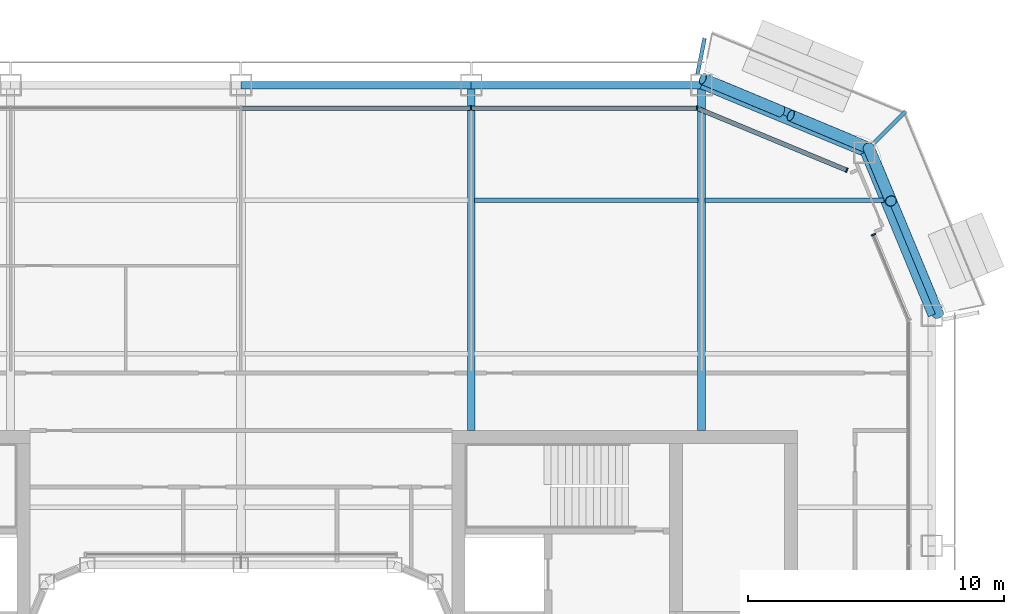
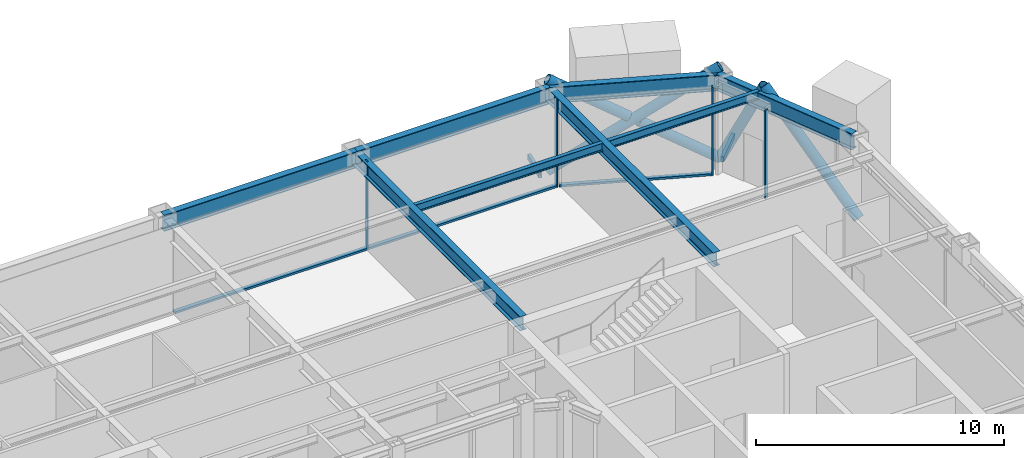
# One storey, part 10 of 23: 12 members, 10 beams, 3 elements without a shape of their own.
"""IFC4 building model written with IfcOpenShell, lengths in metres."""

from ifc_helpers import new_model, si_unit, direction, frame, origin, origin_2d, place, context, subcontext, project, spatial, rectangle, hollow_rectangle, hollow_circle, i_section, extrude, material, layer, layer_set, material_profile, profile_set, type_object, element, aggregate, save


model = new_model("IFC4")

# Units and contexts
model_context = context("Model", 3, precision=1e-05, world=origin(), true_north=direction((0.0, 1.0)))
body_context = subcontext(model_context, "Body", "Model", "MODEL_VIEW")
ifc_project = project(units=[si_unit("LENGTHUNIT", "METRE"), si_unit("AREAUNIT", "SQUARE_METRE"), si_unit("VOLUMEUNIT", "CUBIC_METRE"), si_unit("PLANEANGLEUNIT", "RADIAN"), si_unit("MASSUNIT", "GRAM", prefix="KILO")], contexts=[model_context])

# Site, building, storey
site_placement = place(None, origin())
site = spatial("IfcSite", under=ifc_project, at=site_placement, CompositionType="ELEMENT")
building_placement = place(site_placement, origin())
building = spatial("IfcBuilding", under=site, at=building_placement, Name="Siwar Civic Tower", CompositionType="ELEMENT")
storey_placement = place(building_placement, frame((0.0, 0.0, 224.199951171875)))
storey = spatial("IfcBuildingStorey", under=building, at=storey_placement, Name="L48", CompositionType="ELEMENT", Elevation=224.199951171875)

# Beams
ifc_material_1 = material(Name="Steel S355", Category="steel")
ifc_material_profile_1 = material_profile(ifc_material_1, hollow_rectangle(XDim=0.14990234375, YDim=0.25, WallThickness=0.010009765625, at=origin_2d()), Name="RHS250x150x10")
ifc_profile_set_1 = profile_set([ifc_material_profile_1], Name="Steel S355")
beam_type_1 = type_object("IfcBeamType", Name="ENV-BALCONY ARM", PredefinedType="BEAM", material=ifc_profile_set_1)
beam_1_placement = place(storey_placement, frame((24.753662109375, 24.753662109375, -0.27490234375), z_axis=(0.707106781187, 0.707106781187, 0.0), x_axis=(-0.707106781187, 0.707106781187, 0.0)))
element("IfcBeam", 1, at=beam_1_placement, inside=storey, type_object=beam_type_1, Name="Balcony cantilever beam NE 2", PredefinedType="BEAM", context=body_context, shape_type="SweptSolid", body=[
    extrude(hollow_rectangle(XDim=0.14990234375, YDim=0.25, WallThickness=0.010009765625, at=origin_2d()), origin(), (0.0, 0.0, 1.0), 1.721923828125),
])
beam_2_placement = place(storey_placement, frame((17.83984375, 27.425048828125, -0.27490234375), z_axis=(0.195122471741, 0.980778884878, 0.0), x_axis=(-0.980778884878, 0.195122471741, 0.0)))
element("IfcBeam", 2, at=beam_2_placement, inside=storey, type_object=beam_type_1, Name="Balcony cantilever beam NE 3", PredefinedType="BEAM", context=body_context, shape_type="SweptSolid", body=[
    extrude(hollow_rectangle(XDim=0.14990234375, YDim=0.25, WallThickness=0.010009765625, at=origin_2d()), origin(), (0.0, 0.0, 1.0), 1.417724609375),
])

# Curtain wall, member
ifc_material_2 = material(Name="Aluminium clad insulated panel", Category="aluminium")
ifc_layer_1 = layer(ifc_material_2, 0.179931640625)
ifc_layer_set_1 = layer_set([ifc_layer_1], Name="Aluminium clad insulated panel")
curtain_wall_type_1 = type_object("IfcCurtainWallType", Name="ENV-CW-CX", PredefinedType="NOTDEFINED", material=ifc_layer_set_1)
curtain_wall_1_placement = place(storey_placement, origin())
curtain_wall_1 = element("IfcCurtainWall", 3, at=curtain_wall_1_placement, inside=storey, type_object=curtain_wall_type_1, Name="Curtain wall C NE1", PredefinedType="NOTDEFINED")
ifc_material_3 = material(Name="Aluminium 6063-T6", Category="aluminium")
ifc_material_profile_2 = material_profile(ifc_material_3, rectangle(XDim=0.179931640625, YDim=0.06005859375, at=origin_2d()), Name="AL 180x60")
ifc_profile_set_2 = profile_set([ifc_material_profile_2], Name="Aluminium 6063-T6")
member_type_1 = type_object("IfcMemberType", Name="ENV-MULLION-C", PredefinedType="MULLION", material=ifc_profile_set_2)
member_1_placement = place(storey_placement, frame((24.719482421875, 21.153564453125, 0.0), z_axis=(0.0, 0.0, 1.0), x_axis=(-0.923879532511, -0.382683432365, 0.0)))
member_1 = element("IfcMember", 4, at=member_1_placement, type_object=member_type_1, Name="Mullion C NE1 2", PredefinedType="MULLION", context=body_context, shape_type="SweptSolid", body=[
    extrude(rectangle(XDim=0.179931640625, YDim=0.06005859375, at=origin_2d()), origin(), (0.0, 0.0, 1.0), 4.35009765625),
])
aggregate(curtain_wall_1, [member_1])

curtain_wall_2_placement = place(storey_placement, origin())
curtain_wall_2 = element("IfcCurtainWall", 5, at=curtain_wall_2_placement, inside=storey, type_object=curtain_wall_type_1, Name="Curtain wall C NE2", PredefinedType="NOTDEFINED")
member_2_placement = place(storey_placement, frame((23.675048828125, 23.675048828125, 0.0), z_axis=(0.0, 0.0, 1.0), x_axis=(-0.382683432365, -0.923879532511, 0.0)))
member_2 = element("IfcMember", 6, at=member_2_placement, type_object=member_type_1, Name="Mullion C NE2 1", PredefinedType="MULLION", context=body_context, shape_type="SweptSolid", body=[
    extrude(rectangle(XDim=0.179931640625, YDim=0.06005859375, at=origin_2d()), origin(), (0.0, 0.0, 1.0), 4.35009765625),
])

# Curtain wall, members
ifc_material_4 = material(Name="Aluminium and glass", Category="aluminium")
ifc_layer_2 = layer(ifc_material_4, 0.179931640625)
ifc_layer_set_2 = layer_set([ifc_layer_2], Name="Aluminium and glass")
curtain_wall_type_2 = type_object("IfcCurtainWallType", Name="ENV-CW-C", PredefinedType="NOTDEFINED", material=ifc_layer_set_2)
curtain_wall_3_placement = place(storey_placement, origin())
curtain_wall_3 = element("IfcCurtainWall", 7, at=curtain_wall_3_placement, inside=storey, type_object=curtain_wall_type_2, Name="Curtain wall C N", PredefinedType="NOTDEFINED")
member_3_placement = place(storey_placement, frame((17.821044921875, 26.10009765625, 0.0), z_axis=(0.0, 0.0, 1.0), x_axis=(0.0, -1.0, 0.0)))
member_3 = element("IfcMember", 8, at=member_3_placement, type_object=member_type_1, Name="Mullion C N 1", PredefinedType="MULLION", context=body_context, shape_type="SweptSolid", body=[
    extrude(rectangle(XDim=0.179931640625, YDim=0.06005859375, at=origin_2d()), origin(), (0.0, 0.0, 1.0), 4.35009765625),
])
member_4_placement = place(storey_placement, frame((9.0, 26.10009765625, 0.0), z_axis=(0.0, 0.0, 1.0), x_axis=(0.0, -1.0, 0.0)))
member_4 = element("IfcMember", 9, at=member_4_placement, type_object=member_type_1, Name="Mullion C N 2", PredefinedType="MULLION", context=body_context, shape_type="SweptSolid", body=[
    extrude(rectangle(XDim=0.179931640625, YDim=0.06005859375, at=origin_2d()), origin(), (0.0, 0.0, 1.0), 4.35009765625),
])

# Member
ifc_material_5 = material(Name="Aluminium 6063-T6", Category="aluminium")
ifc_material_profile_3 = material_profile(ifc_material_5, rectangle(XDim=0.179931640625, YDim=0.10009765625, at=origin_2d()), Name="AL 180x100")
ifc_profile_set_3 = profile_set([ifc_material_profile_3], Name="Aluminium 6063-T6")
member_type_2 = type_object("IfcMemberType", Name="ENV-TRANSOM-C", PredefinedType="USERDEFINED", material=ifc_profile_set_3)
member_5_placement = place(storey_placement, frame((23.6474609375, 23.6865234375, 0.050048828125), z_axis=(-0.923876246063, 0.382691366456, 0.0), x_axis=(-0.382691366456, -0.923876246063, 0.0)))
member_5 = element("IfcMember", 10, at=member_5_placement, type_object=member_type_2, Name="Transom C NE2 1", ObjectType="TRANSOM", PredefinedType="USERDEFINED", context=body_context, shape_type="SweptSolid", body=[
    extrude(rectangle(XDim=0.179931640625, YDim=0.10009765625, at=origin_2d()), origin(), (0.0, 0.0, 1.0), 6.20166015625),
])

aggregate(curtain_wall_2, [member_2, member_5])

member_6_placement = place(storey_placement, frame((17.791015625, 26.10009765625, 0.050048828125), z_axis=(-1.0, 0.0, 0.0), x_axis=(0.0, -1.0, 0.0)))
member_6 = element("IfcMember", 11, at=member_6_placement, type_object=member_type_2, Name="Transom C N 1", ObjectType="TRANSOM", PredefinedType="USERDEFINED", context=body_context, shape_type="SweptSolid", body=[
    extrude(rectangle(XDim=0.179931640625, YDim=0.10009765625, at=origin_2d()), origin(), (0.0, 0.0, 1.0), 8.760986328125),
])

member_7_placement = place(storey_placement, frame((8.969970703125, 26.10009765625, 0.050048828125), z_axis=(-1.0, 0.0, 0.0), x_axis=(0.0, -1.0, 0.0)))
member_7 = element("IfcMember", 12, at=member_7_placement, type_object=member_type_2, Name="Transom C N 2", ObjectType="TRANSOM", PredefinedType="USERDEFINED", context=body_context, shape_type="SweptSolid", body=[
    extrude(rectangle(XDim=0.179931640625, YDim=0.10009765625, at=origin_2d()), origin(), (0.0, 0.0, 1.0), 8.93994140625),
])

aggregate(curtain_wall_3, [member_3, member_4, member_6, member_7])

# Members
ifc_material_6 = material(Name="Steel S355", Category="steel")
ifc_material_profile_4 = material_profile(ifc_material_6, hollow_circle(Radius=0.228515625, WallThickness=0.02001953125, at=origin_2d()), Name="CHS457x20")
ifc_profile_set_4 = profile_set([ifc_material_profile_4], Name="Steel S355")
member_type_3 = type_object("IfcMemberType", Name="STR-BR-CHS457x20", PredefinedType="BRACE", material=ifc_profile_set_4)
member_8_placement = place(storey_placement, frame((18.048828125, 27.2451171875, 0.0), z_axis=(0.777554562952, -0.323905527954, 0.538975055633), x_axis=(0.384538969033, 0.923108759191, 0.0)))
element("IfcMember", 13, at=member_8_placement, inside=storey, type_object=member_type_3, Name="L48/brc/CNE1-8-0-1", PredefinedType="BRACE", context=body_context, shape_type="SweptSolid", body=[
    extrude(hollow_circle(Radius=0.228515625, WallThickness=0.02001953125, at=origin_2d()), origin(), (0.0, 0.0, 1.0), 8.34912109375),
])
for number, where, z_axis, x_axis, name in (
    (14, (24.540771484375, 24.540771484375, 0.0), (-0.777546448489, 0.323884455881, 0.538999424564), (-0.38452107079, -0.92311621485, 0.0), "L48/brc/CNE1-8-0-2"),
    (15, (21.10302734375, 25.972900390625, 2.383056640625), (-0.777572496853, 0.323895306243, 0.538955325357), (-0.38452107079, -0.92311621485, 0.0), "L48/brc/CNE1-8-0-3"),
):
    element("IfcMember", number, at=place(storey_placement, frame(where, z_axis=z_axis, x_axis=x_axis)), inside=storey, type_object=member_type_3, Name=name, PredefinedType="BRACE", context=body_context, shape_type="SweptSolid", body=[
        extrude(hollow_circle(Radius=0.228515625, WallThickness=0.02001953125, at=origin_2d()), origin(), (0.0, 0.0, 1.0), 3.927978515625),
    ])
member_9_placement = place(storey_placement, frame((27.2451171875, 18.048828125, 0.0), z_axis=(-0.280310719993, 0.672864582402, 0.684601456328), x_axis=(-0.923101041979, -0.384557494138, 0.0)))
element("IfcMember", 16, at=member_9_placement, inside=storey, type_object=member_type_3, Name="L48/brc/CNE1-8-0-0", PredefinedType="BRACE", context=body_context, shape_type="SweptSolid", body=[
    extrude(hollow_circle(Radius=0.228515625, WallThickness=0.02001953125, at=origin_2d()), origin(), (0.0, 0.0, 1.0), 6.5732421875),
])
member_10_placement = place(storey_placement, frame((24.540771484375, 24.540771484375, 0.0), z_axis=(0.171426870802, -0.411570178484, 0.895110504993), x_axis=(0.923125254544, 0.384499368559, 0.0)))
element("IfcMember", 17, at=member_10_placement, inside=storey, type_object=member_type_3, Name="L48/brc/CNE1-8-0-6", PredefinedType="BRACE", context=body_context, shape_type="SweptSolid", body=[
    extrude(hollow_circle(Radius=0.228515625, WallThickness=0.02001953125, at=origin_2d()), origin(), (0.0, 0.0, 1.0), 5.02734375),
])

# Beams
ifc_material_7 = material(Name="Steel S355", Category="steel")
ifc_material_profile_5 = material_profile(ifc_material_7, i_section(OverallWidth=0.179931640625, OverallDepth=0.39990234375, WebThickness=0.008544921875, FlangeThickness=0.013427734375, FilletRadius=0.02099609375, at=origin_2d()), Name="IPE400")
ifc_profile_set_5 = profile_set([ifc_material_profile_5], Name="Steel S355")
beam_type_2 = type_object("IfcBeamType", Name="STR-FB-IPE400", PredefinedType="JOIST", material=ifc_profile_set_5)
beam_3_placement = place(storey_placement, frame((9.1298828125, 22.5, 4.150146484375), z_axis=(1.0, 0.0, 0.0), x_axis=(0.0, 1.0, 0.0)))
element("IfcBeam", 18, at=beam_3_placement, inside=storey, type_object=beam_type_2, Name="L48/bm/F041", PredefinedType="JOIST", context=body_context, shape_type="SweptSolid", body=[
    extrude(i_section(OverallWidth=0.179931640625, OverallDepth=0.39990234375, WebThickness=0.008544921875, FlangeThickness=0.013427734375, FilletRadius=0.02099609375, at=origin_2d()), origin(), (0.0, 0.0, 1.0), 8.740234375),
])
beam_4_placement = place(storey_placement, frame((18.1298828125, 22.5, 4.150146484375), z_axis=(1.0, 0.0, 0.0), x_axis=(0.0, 1.0, 0.0)))
element("IfcBeam", 19, at=beam_4_placement, inside=storey, type_object=beam_type_2, Name="L48/bm/F042", PredefinedType="JOIST", context=body_context, shape_type="SweptSolid", body=[
    extrude(i_section(OverallWidth=0.179931640625, OverallDepth=0.39990234375, WebThickness=0.008544921875, FlangeThickness=0.013427734375, FilletRadius=0.02099609375, at=origin_2d()), origin(), (0.0, 0.0, 1.0), 7.006103515625),
])
ifc_material_8 = material(Name="Steel S355", Category="steel")
ifc_material_profile_6 = material_profile(ifc_material_8, i_section(OverallWidth=0.300048828125, OverallDepth=0.699951171875, WebThickness=0.01708984375, FlangeThickness=0.031982421875, FilletRadius=0.027099609375, at=origin_2d()), Name="HEB700")
ifc_profile_set_6 = profile_set([ifc_material_profile_6], Name="Steel S355")
beam_type_3 = type_object("IfcBeamType", Name="STR-PG-HEB700", PredefinedType="BEAM", material=ifc_profile_set_6)
for number, where, z_axis, x_axis, name in (
    (20, (9.0, 13.5, 4.0), (0.0, 1.0, 0.0), (-1.0, 0.0, 0.0), "L48/bm/G08"),
    (21, (18.0, 13.5, 4.0), (0.0, 1.0, 0.0), (-1.0, 0.0, 0.0), "L48/bm/G10"),
):
    element("IfcBeam", number, at=place(storey_placement, frame(where, z_axis=z_axis, x_axis=x_axis)), inside=storey, type_object=beam_type_3, Name=name, PredefinedType="BEAM", context=body_context, shape_type="SweptSolid", body=[
        extrude(i_section(OverallWidth=0.300048828125, OverallDepth=0.699951171875, WebThickness=0.01708984375, FlangeThickness=0.031982421875, FilletRadius=0.027099609375, at=origin_2d()), origin(), (0.0, 0.0, 1.0), 13.5),
    ])
ifc_material_9 = material(Name="Steel S355", Category="steel")
ifc_material_profile_7 = material_profile(ifc_material_9, i_section(OverallWidth=0.300048828125, OverallDepth=0.800048828125, WebThickness=0.017578125, FlangeThickness=0.032958984375, FilletRadius=0.030029296875, at=origin_2d()), Name="HEB800")
ifc_profile_set_7 = profile_set([ifc_material_profile_7], Name="Steel S355")
beam_type_4 = type_object("IfcBeamType", Name="STR-SB-HEB800", PredefinedType="BEAM", material=ifc_profile_set_7)
for number, where, z_axis, x_axis, name in (
    (22, (27.0, 18.0, 3.949951171875), (-0.382674207535, 0.923883353507, 0.0), (-0.923883353507, -0.382674207535, 0.0), "L48/bm/SNE1-0"),
    (23, (24.364013671875, 24.364013671875, 3.949951171875), (-0.923883353507, 0.382674207535, 0.0), (-0.382674207535, -0.923883353507, 0.0), "L48/bm/SNE2-0"),
):
    element("IfcBeam", number, at=place(storey_placement, frame(where, z_axis=z_axis, x_axis=x_axis)), inside=storey, type_object=beam_type_4, Name=name, PredefinedType="BEAM", context=body_context, shape_type="SweptSolid", body=[
        extrude(i_section(OverallWidth=0.300048828125, OverallDepth=0.800048828125, WebThickness=0.017578125, FlangeThickness=0.032958984375, FilletRadius=0.030029296875, at=origin_2d()), origin(), (0.0, 0.0, 1.0), 6.888427734375),
    ])
for number, where, z_axis, x_axis, name in (
    (24, (18.0, 27.0, 3.949951171875), (-1.0, 0.0, 0.0), (0.0, -1.0, 0.0), "L48/bm/SN-0"),
    (25, (9.0, 27.0, 3.949951171875), (-1.0, 0.0, 0.0), (0.0, -1.0, 0.0), "L48/bm/SN-1"),
):
    element("IfcBeam", number, at=place(storey_placement, frame(where, z_axis=z_axis, x_axis=x_axis)), inside=storey, type_object=beam_type_4, Name=name, PredefinedType="BEAM", context=body_context, shape_type="SweptSolid", body=[
        extrude(i_section(OverallWidth=0.300048828125, OverallDepth=0.800048828125, WebThickness=0.017578125, FlangeThickness=0.032958984375, FilletRadius=0.030029296875, at=origin_2d()), origin(), (0.0, 0.0, 1.0), 9.0),
    ])

save(model, "model.ifc")
